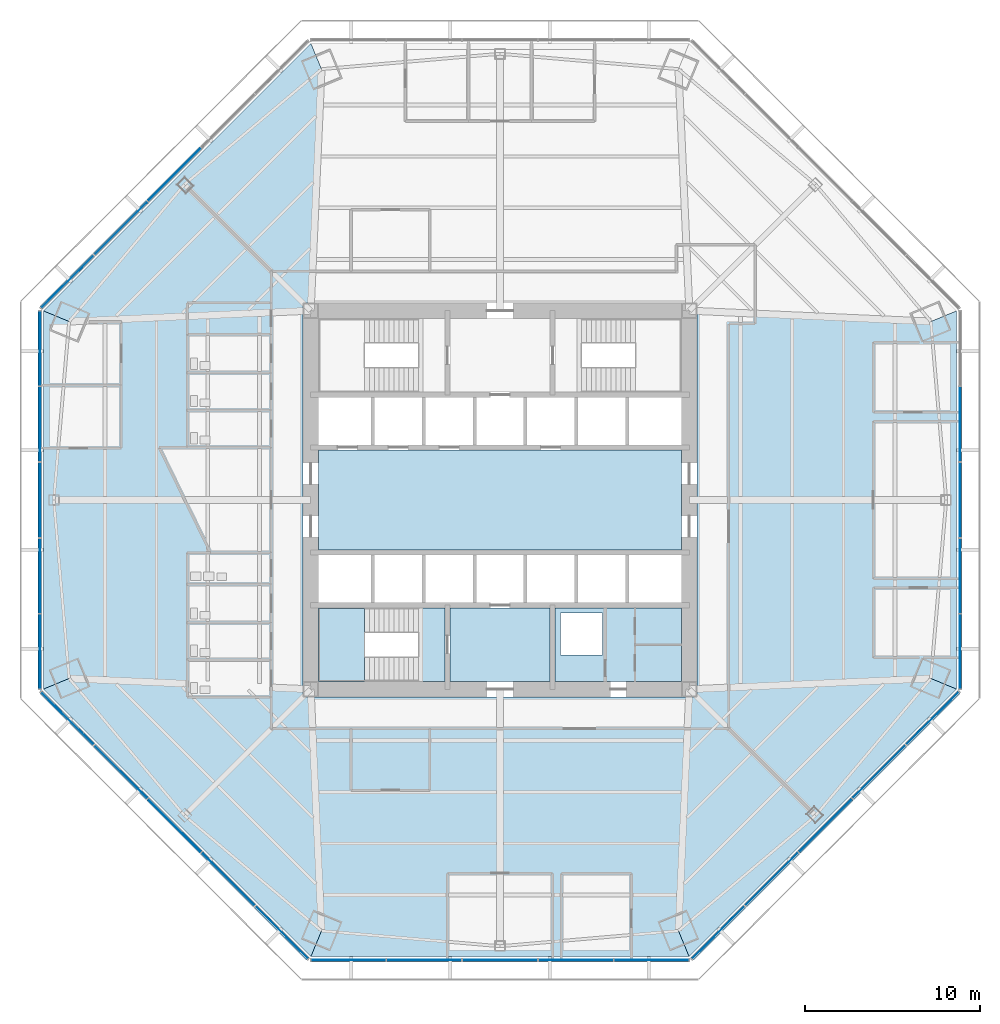
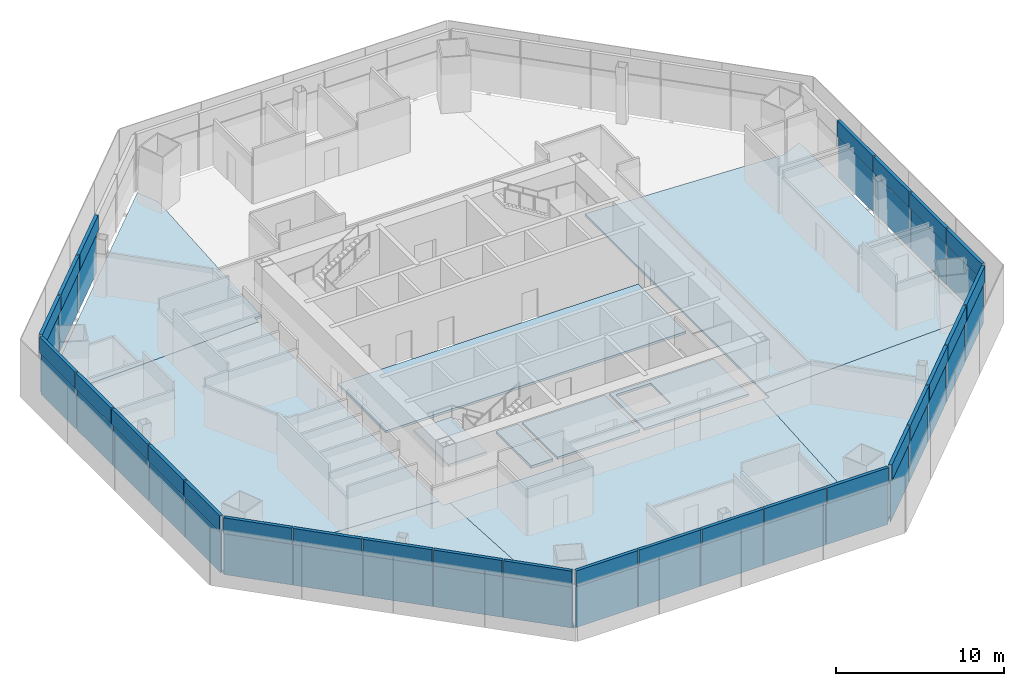
# One storey, part 7 of 15: 54 plates, 11 slabs, 7 elements without a shape of their own.
"""IFC4 building model written with IfcOpenShell, lengths in metres."""

import ifcopenshell
import ifcopenshell.guid

model = None  # the IFC model being written
_history = None  # IfcOwnerHistory: only IFC2X3 demands one
_inside = {}  # id of a spatial element -> (the spatial element, [elements in it])
_under = {}  # id of a project, library or spatial element -> (it, [spatial elements below it])
_declared = {}  # id of a project -> (the project, [libraries it declares])
_typed = {}  # id of a type object -> (the type object, [elements of that type])
_made_of = {}  # id of a material, layer set ... -> (it, [elements and type objects made of it])


def new_model(schema):
    """Start an empty IFC model of exactly this schema.

    Asked for "IFC4X3", IfcOpenShell would pick the latest addendum, in which some entities
    have other attributes; the version numbers below select the first issue.
    IFC2X3 requires an IfcOwnerHistory on every rooted entity: one is made here for all.
    """
    global model, _history
    if schema == "IFC4X3":
        model = ifcopenshell.file(schema_version=(4, 3, 0, 0))
    else:
        model = ifcopenshell.file(schema=schema)
    _inside.clear()
    _under.clear()
    _declared.clear()
    _typed.clear()
    _made_of.clear()
    _history = None
    if model.schema == "IFC2X3":
        org = make("IfcOrganization", Name="unknown")
        user = make(
            "IfcPersonAndOrganization",
            ThePerson=make("IfcPerson", FamilyName="unknown"),
            TheOrganization=org,
        )
        app = make(
            "IfcApplication",
            ApplicationDeveloper=org,
            Version="unknown",
            ApplicationFullName="unknown",
            ApplicationIdentifier="unknown",
        )
        _history = make(
            "IfcOwnerHistory",
            OwningUser=user,
            OwningApplication=app,
            ChangeAction="ADDED",
            CreationDate=0,
        )
    return model


def make(cls, **values):
    """One entity of the class cls with the attributes given. An attribute that is None is left unset."""
    return model.create_entity(
        cls, **{name: value for name, value in values.items() if value is not None}
    )


def rooted(cls, **values):
    """An entity with a GlobalId (a new one), such as an element, a storey or a relation."""
    return make(cls, GlobalId=ifcopenshell.guid.new(), OwnerHistory=_history, **values)


def si_unit(unit_type, name, prefix=None):
    """IfcSIUnit, for example si_unit("LENGTHUNIT", "METRE", prefix="MILLI")."""
    return make("IfcSIUnit", UnitType=unit_type, Prefix=prefix, Name=name)


def assignment(units):
    """IfcUnitAssignment: the units of a project."""
    return None if units is None else make("IfcUnitAssignment", Units=units)


def point(xyz):
    """IfcCartesianPoint."""
    return None if xyz is None else make("IfcCartesianPoint", Coordinates=xyz)


def direction(xyz):
    """IfcDirection."""
    return None if xyz is None else make("IfcDirection", DirectionRatios=xyz)


def frame(location, z_axis=None, x_axis=None):
    """IfcAxis2Placement3D, a coordinate frame: its origin and axes. An axis left out is left unset."""
    return make(
        "IfcAxis2Placement3D",
        Location=point(location),
        Axis=direction(z_axis),
        RefDirection=direction(x_axis),
    )


def frame_2d(location, x_axis=None):
    """IfcAxis2Placement2D, a coordinate frame in the plane: its origin and x axis."""
    return make(
        "IfcAxis2Placement2D", Location=point(location), RefDirection=direction(x_axis)
    )


def origin():
    """The frame at (0, 0, 0) with its axes left unset."""
    return frame((0.0, 0.0, 0.0))


def origin_2d():
    """The frame at (0, 0) in the plane with its x axis left unset."""
    return frame_2d((0.0, 0.0))


def place(relative_to, where):
    """IfcLocalPlacement: puts the frame where relative to a parent placement (None: the world)."""
    return make(
        "IfcLocalPlacement", PlacementRelTo=relative_to, RelativePlacement=where
    )


def context(
    kind, dimensions, precision=None, world=None, true_north=None, identifier=None
):
    """IfcGeometricRepresentationContext, for example the 3D "Model" context."""
    return make(
        "IfcGeometricRepresentationContext",
        ContextIdentifier=identifier,
        ContextType=kind,
        CoordinateSpaceDimension=dimensions,
        Precision=precision,
        WorldCoordinateSystem=world,
        TrueNorth=true_north,
    )


def subcontext(parent, identifier, kind, view, scale=None):
    """IfcGeometricRepresentationSubContext, for example "Body" below "Model"."""
    return make(
        "IfcGeometricRepresentationSubContext",
        ContextIdentifier=identifier,
        ContextType=kind,
        ParentContext=parent,
        TargetScale=scale,
        TargetView=view,
    )


def project(units=None, contexts=None):
    """IfcProject with its units and contexts."""
    return rooted(
        "IfcProject",
        Name="project",
        RepresentationContexts=contexts,
        UnitsInContext=assignment(units),
    )


def spatial(cls, under=None, at=None, **own):
    """A site, building, storey or space (cls), placed at a placement, below another one or the project."""
    s = rooted(cls, ObjectPlacement=at, **own)
    if under is not None:
        _under.setdefault(under.id(), (under, []))[1].append(s)
    return s


def polyline(points):
    """IfcPolyline through the points."""
    return make("IfcPolyline", Points=[point(p) for p in points])


def profile(cls, at=None, kind="AREA", **sizes):
    """A parametric profile (cls). Its sizes go by their IFC names, for example OverallWidth=200.0."""
    return make(cls, ProfileType=kind, Position=at, **sizes)


def rectangle(**sizes):
    """IfcRectangleProfileDef."""
    return profile("IfcRectangleProfileDef", **sizes)


def outline(outer, holes=None, kind="AREA"):
    """IfcArbitraryClosedProfileDef: a profile drawn as a closed curve; with holes, ...WithVoids."""
    if holes is None:
        return make("IfcArbitraryClosedProfileDef", ProfileType=kind, OuterCurve=outer)
    return make(
        "IfcArbitraryProfileDefWithVoids",
        ProfileType=kind,
        OuterCurve=outer,
        InnerCurves=holes,
    )


def extrude(swept, where, along, depth):
    """IfcExtrudedAreaSolid: the profile swept, set in the frame where, extruded along a direction by depth."""
    return make(
        "IfcExtrudedAreaSolid",
        SweptArea=swept,
        Position=where,
        ExtrudedDirection=direction(along),
        Depth=depth,
    )


def shape(context_of_items, identifier, shape_type, items):
    """IfcShapeRepresentation: the items that make up one representation, for example the "Body"."""
    return make(
        "IfcShapeRepresentation",
        ContextOfItems=context_of_items,
        RepresentationIdentifier=identifier,
        RepresentationType=shape_type,
        Items=items,
    )


def source(mapping_origin, context_of_items, identifier, shape_type, items):
    """IfcRepresentationMap: a shape defined once, which mapped items show again and again."""
    return make(
        "IfcRepresentationMap",
        MappingOrigin=mapping_origin,
        MappedRepresentation=shape(context_of_items, identifier, shape_type, items),
    )


def transform(
    local_origin,
    x_axis=None,
    y_axis=None,
    z_axis=None,
    scale=None,
    scale2=None,
    scale3=None,
    uniform=True,
):
    """IfcCartesianTransformationOperator3D, or its non-uniform kind. x_axis, y_axis, z_axis: its Axis1, 2, 3."""
    if uniform:
        return make(
            "IfcCartesianTransformationOperator3D",
            Axis1=direction(x_axis),
            Axis2=direction(y_axis),
            LocalOrigin=point(local_origin),
            Scale=scale,
            Axis3=direction(z_axis),
        )
    return make(
        "IfcCartesianTransformationOperator3DnonUniform",
        Axis1=direction(x_axis),
        Axis2=direction(y_axis),
        LocalOrigin=point(local_origin),
        Scale=scale,
        Axis3=direction(z_axis),
        Scale2=scale2,
        Scale3=scale3,
    )


def mapped(mapping_source, mapping_target):
    """IfcMappedItem: shows the shape of a source again, moved by a transform."""
    return make(
        "IfcMappedItem", MappingSource=mapping_source, MappingTarget=mapping_target
    )


def material(Name=None, Category=None):
    """IfcMaterial."""
    return make("IfcMaterial", Name=Name, Category=Category)


def layer(
    of_material, thickness, ventilated=None, Name=None, Category=None, Priority=None
):
    """IfcMaterialLayer: one layer of a wall or slab, of a material (None: an air gap)."""
    return make(
        "IfcMaterialLayer",
        Material=of_material,
        LayerThickness=thickness,
        IsVentilated=ventilated,
        Name=Name,
        Category=Category,
        Priority=Priority,
    )


def layer_set(layers, Name=None):
    """IfcMaterialLayerSet."""
    return make("IfcMaterialLayerSet", MaterialLayers=layers, LayerSetName=Name)


def made_of(thing, what):
    """Note that an element or type object is made of a material, layer set ...; save() writes the relation."""
    if what is not None:
        _made_of.setdefault(what.id(), (what, []))[1].append(thing)
    return thing


def type_object(cls, material=None, **own):
    """A type object (cls), such as IfcWallType, which elements share."""
    return made_of(rooted(cls, **own), material)


def type_shapes(of_type, sources):
    """Give a type object the sources (RepresentationMaps) that its elements show as mapped items."""
    of_type.RepresentationMaps = sources


def element(
    cls,
    number,
    at=None,
    inside=None,
    cuts=None,
    type_object=None,
    material=None,
    context=None,
    identifier="Body",
    shape_type=None,
    held_by="IfcProductDefinitionShape",
    body=None,
    shapes=None,
    **own,
):
    """One element of the class cls, such as IfcWall. Its Tag is "e" and its number.

    at: its placement. inside: the storey or other place that contains it. cuts: it is an
    opening in that element (IfcRelVoidsElement). A single representation is given by context,
    identifier, shape_type and body (its items); several are given by shapes. held_by: the class
    of the entity that holds the representations. save() writes the other relations.
    """
    e = rooted(cls, Tag="e%d" % number, ObjectPlacement=at, **own)
    if body is not None:
        shapes = [shape(context, identifier, shape_type, body)]
    if shapes is not None:
        e.Representation = make(held_by, Representations=shapes)
    if inside is not None:
        _inside.setdefault(inside.id(), (inside, []))[1].append(e)
    if cuts is not None:
        rooted(
            "IfcRelVoidsElement", RelatingBuildingElement=cuts, RelatedOpeningElement=e
        )
    if type_object is not None:
        _typed.setdefault(type_object.id(), (type_object, []))[1].append(e)
    return made_of(e, material)


def aggregate(whole, parts):
    """IfcRelAggregates: a whole, such as a stair, and the parts it consists of."""
    return rooted("IfcRelAggregates", RelatingObject=whole, RelatedObjects=parts)


def save(model, path):
    """Write the relations noted so far, then the file.

    IfcRelAggregates (storeys below a building ...), IfcRelContainedInSpatialStructure (elements
    in a storey), IfcRelDefinesByType, IfcRelAssociatesMaterial and IfcRelDeclares: one each for
    every whole, place, type object, material and project.
    """
    for whole, parts in _under.values():
        aggregate(whole, parts)
    for where, things in _inside.values():
        rooted(
            "IfcRelContainedInSpatialStructure",
            RelatedElements=things,
            RelatingStructure=where,
        )
    for kind, things in _typed.values():
        rooted("IfcRelDefinesByType", RelatedObjects=things, RelatingType=kind)
    for what, things in _made_of.values():
        rooted("IfcRelAssociatesMaterial", RelatedObjects=things, RelatingMaterial=what)
    for by, libraries in _declared.values():
        rooted("IfcRelDeclares", RelatingContext=by, RelatedDefinitions=libraries)
    model.write(path)


model = new_model("IFC4")

# Units and contexts
model_context = context("Model", 3, precision=1e-05, world=origin(), true_north=direction((0.0, 1.0)))
body_context = subcontext(model_context, "Body", "Model", "MODEL_VIEW")
ifc_project = project(units=[si_unit("LENGTHUNIT", "METRE"), si_unit("AREAUNIT", "SQUARE_METRE"), si_unit("VOLUMEUNIT", "CUBIC_METRE"), si_unit("PLANEANGLEUNIT", "RADIAN"), si_unit("MASSUNIT", "GRAM", prefix="KILO")], contexts=[model_context])

# Site, building, storey
site_placement = place(None, origin())
site = spatial("IfcSite", under=ifc_project, at=site_placement, CompositionType="ELEMENT")
building_placement = place(site_placement, origin())
building = spatial("IfcBuilding", under=site, at=building_placement, Name="Mashrafa Tower", CompositionType="ELEMENT")
storey_placement = place(building_placement, frame((0.0, 0.0, 62.39990234375)))
storey = spatial("IfcBuildingStorey", under=building, at=storey_placement, Name="L13", CompositionType="ELEMENT", Elevation=62.39990234375)

# Slabs
ifc_material_1 = material(Name="Concrete C35/45", Category="concrete")
ifc_layer_1 = layer(ifc_material_1, 0.1650390625)
ifc_layer_set_1 = layer_set([ifc_layer_1], Name="Floor slab 165")
slab_type_1 = type_object("IfcSlabType", Name="Floor slab 165", PredefinedType="FLOOR", material=ifc_layer_set_1)
slab_1_placement = place(storey_placement, frame((0.0, 0.0, -0.164794921875)))
element("IfcSlab", 1, at=slab_1_placement, inside=storey, type_object=slab_type_1, Name="Floor slab L13 east bay", PredefinedType="FLOOR", context=body_context, shape_type="SweptSolid", body=[
    extrude(outline(polyline([(26.049560546875, -10.7900390625), (24.575927734375, -10.1796875), (11.25, -10.77978515625), (11.25, 10.77978515625), (24.575927734375, 10.1796875), (26.049560546875, 10.7900390625), (26.049560546875, -10.7900390625)])), origin(), (0.0, 0.0, 1.0), 0.164794921875),
])
slab_2_placement = place(storey_placement, frame((0.0, 0.0, -0.164794921875)))
element("IfcSlab", 2, at=slab_2_placement, inside=storey, type_object=slab_type_1, Name="Floor slab L13 north-west bay", PredefinedType="FLOOR", context=body_context, shape_type="SweptSolid", body=[
    extrude(outline(polyline([(-26.049560546875, 10.7900390625), (-10.7900390625, 26.049560546875), (-10.7900390625, 26.049560546875), (-10.1796875, 24.575927734375), (-10.77978515625, 11.25), (-11.25, 11.25), (-11.25, 10.77978515625), (-24.575927734375, 10.1796875), (-26.049560546875, 10.7900390625), (-26.049560546875, 10.7900390625)])), origin(), (0.0, 0.0, 1.0), 0.164794921875),
])
slab_3_placement = place(storey_placement, frame((0.0, 0.0, -0.164794921875)))
element("IfcSlab", 3, at=slab_3_placement, inside=storey, type_object=slab_type_1, Name="Floor slab L13 west bay", PredefinedType="FLOOR", context=body_context, shape_type="SweptSolid", body=[
    extrude(outline(polyline([(-26.049560546875, 10.7900390625), (-24.575927734375, 10.1796875), (-11.25, 10.77978515625), (-11.25, -10.77978515625), (-24.575927734375, -10.1796875), (-26.049560546875, -10.7900390625), (-26.049560546875, 10.7900390625)])), origin(), (0.0, 0.0, 1.0), 0.164794921875),
])
slab_4_placement = place(storey_placement, frame((0.0, 0.0, -0.164794921875)))
element("IfcSlab", 4, at=slab_4_placement, inside=storey, type_object=slab_type_1, Name="Floor slab L13 south-west bay", PredefinedType="FLOOR", context=body_context, shape_type="SweptSolid", body=[
    extrude(outline(polyline([(-10.7900390625, -26.049560546875), (-26.049560546875, -10.7900390625), (-26.049560546875, -10.7900390625), (-24.575927734375, -10.1796875), (-11.25, -10.77978515625), (-11.25, -11.25), (-10.77978515625, -11.25), (-10.1796875, -24.575927734375), (-10.7900390625, -26.049560546875), (-10.7900390625, -26.049560546875)])), origin(), (0.0, 0.0, 1.0), 0.164794921875),
])
slab_5_placement = place(storey_placement, frame((0.0, 0.0, -0.164794921875)))
element("IfcSlab", 5, at=slab_5_placement, inside=storey, type_object=slab_type_1, Name="Floor slab L13 south bay", PredefinedType="FLOOR", context=body_context, shape_type="SweptSolid", body=[
    extrude(outline(polyline([(-10.7900390625, -26.049560546875), (-10.1796875, -24.575927734375), (-10.77978515625, -11.25), (10.77978515625, -11.25), (10.1796875, -24.575927734375), (10.7900390625, -26.049560546875), (-10.7900390625, -26.049560546875)])), origin(), (0.0, 0.0, 1.0), 0.164794921875),
])
slab_6_placement = place(storey_placement, frame((0.0, 0.0, -0.164794921875)))
element("IfcSlab", 6, at=slab_6_placement, inside=storey, type_object=slab_type_1, Name="Floor slab L13 south-east bay", PredefinedType="FLOOR", context=body_context, shape_type="SweptSolid", body=[
    extrude(outline(polyline([(10.7900390625, -26.049560546875), (10.1796875, -24.575927734375), (10.77978515625, -11.25), (11.25, -11.25), (11.25, -10.77978515625), (24.575927734375, -10.1796875), (26.049560546875, -10.7900390625), (26.049560546875, -10.7900390625), (10.7900390625, -26.049560546875), (10.7900390625, -26.049560546875)])), origin(), (0.0, 0.0, 1.0), 0.164794921875),
])
slab_7_placement = place(storey_placement, frame((0.0, 0.0, -0.164794921875)))
element("IfcSlab", 7, at=slab_7_placement, inside=storey, type_object=slab_type_1, Name="Core floor lift hall L13", PredefinedType="FLOOR", context=body_context, shape_type="SweptSolid", body=[
    extrude(outline(polyline([(-10.35009765625, 2.85009765625), (10.35009765625, 2.85009765625), (10.35009765625, -2.85009765625), (-10.35009765625, -2.85009765625), (-10.35009765625, 2.85009765625)])), origin(), (0.0, 0.0, 1.0), 0.164794921875),
])
slab_8_placement = place(storey_placement, frame((0.0, 0.0, -0.164794921875)))
element("IfcSlab", 8, at=slab_8_placement, inside=storey, type_object=slab_type_1, Name="Core floor riser and electrical band L13", PredefinedType="FLOOR", context=body_context, shape_type="SweptSolid", body=[
    extrude(outline(polyline([(10.35009765625, -6.14990234375), (10.35009765625, -10.35009765625), (3.14990234375, -10.35009765625), (3.14990234375, -6.14990234375), (10.35009765625, -6.14990234375)]), holes=[polyline([(3.449951171875, -8.85009765625), (5.85009765625, -8.85009765625), (5.85009765625, -6.449951171875), (3.449951171875, -6.449951171875), (3.449951171875, -8.85009765625)])]), origin(), (0.0, 0.0, 1.0), 0.164794921875),
])
slab_9_placement = place(storey_placement, frame((0.0, 0.0, -0.164794921875)))
element("IfcSlab", 9, at=slab_9_placement, inside=storey, type_object=slab_type_1, Name="Core floor fire-fighting lobby south L13", PredefinedType="FLOOR", context=body_context, shape_type="SweptSolid", body=[
    extrude(outline(polyline([(2.85009765625, -6.14990234375), (2.85009765625, -10.35009765625), (-2.85009765625, -10.35009765625), (-2.85009765625, -6.14990234375), (2.85009765625, -6.14990234375)])), origin(), (0.0, 0.0, 1.0), 0.164794921875),
])

# Stair, slabs
ifc_material_2 = material(Name="Exit stair 1400")
stair_type = type_object("IfcStairType", Name="Exit stair 1400", PredefinedType="HALF_TURN_STAIR", material=ifc_material_2)
stair_placement = place(storey_placement, origin())
stair = element("IfcStair", 10, at=stair_placement, inside=storey, type_object=stair_type, Name="Stair S3 L13", PredefinedType="HALF_TURN_STAIR")
ifc_material_3 = material(Name="Concrete C32/40", Category="concrete")
ifc_layer_2 = layer(ifc_material_3, 0.199951171875)
ifc_layer_set_2 = layer_set([ifc_layer_2], Name="Stair landing 200")
slab_type_2 = type_object("IfcSlabType", Name="Stair landing 200", PredefinedType="LANDING", material=ifc_layer_set_2)
slab_10_placement = place(storey_placement, frame((0.0, 0.0, -0.199951171875)))
slab_10 = element("IfcSlab", 11, at=slab_10_placement, type_object=slab_type_2, Name="S3 landing 1", PredefinedType="LANDING", context=body_context, shape_type="SweptSolid", body=[
    extrude(outline(polyline([(-4.659912109375, -10.35009765625), (-3.14990234375, -10.35009765625), (-3.14990234375, -6.14990234375), (-4.659912109375, -6.14990234375), (-4.659912109375, -10.35009765625)])), origin(), (0.0, 0.0, 1.0), 0.199951171875),
])
slab_11_placement = place(storey_placement, frame((0.0, 0.0, 1.900146484375)))
slab_11 = element("IfcSlab", 12, at=slab_11_placement, type_object=slab_type_2, Name="S3 landing 2", PredefinedType="LANDING", context=body_context, shape_type="SweptSolid", body=[
    extrude(outline(polyline([(-10.35009765625, -10.35009765625), (-7.719970703125, -10.35009765625), (-7.719970703125, -6.14990234375), (-10.35009765625, -6.14990234375), (-10.35009765625, -10.35009765625)])), origin(), (0.0, 0.0, 1.0), 0.199951171875),
])
aggregate(stair, [slab_10, slab_11])

# Curtain wall, plate
ifc_material_4 = material(Name="Unitised aluminium curtain wall", Category="aluminium")
curtain_wall_type = type_object("IfcCurtainWallType", Name="Office curtain wall, zone 1 CW-A 200 deep", PredefinedType="NOTDEFINED", material=ifc_material_4)
curtain_wall_1_placement = place(storey_placement, origin())
curtain_wall_1 = element("IfcCurtainWall", 13, at=curtain_wall_1_placement, inside=storey, type_object=curtain_wall_type, Name="Office curtain wall, zone 1 L13 east", PredefinedType="NOTDEFINED")
ifc_material_5 = material(Name="Insulated double glazing, low-e, neutral", Category="glass")
ifc_layer_3 = layer(ifc_material_5, 0.028076171875)
ifc_layer_set_3 = layer_set([ifc_layer_3], Name="Vision panel CW-A 28")
plate_type_1 = type_object("IfcPlateType", Name="Vision panel CW-A 28", PredefinedType="CURTAIN_PANEL", material=ifc_layer_set_3)
shared_shape_1 = source(origin(), body_context, "Body", "SweptSolid", [
    extrude(rectangle(XDim=4.231201171875, YDim=0.028076171875, at=origin_2d()), origin(), (0.0, 0.0, 1.0), 2.9599609375),
])
plate_1_placement = place(storey_placement, frame((26.24951171875, -8.640869140625, 0.0), z_axis=(0.0, 0.0, 1.0), x_axis=(0.0, 1.0, 0.0)))
plate_1 = element("IfcPlate", 14, at=plate_1_placement, type_object=plate_type_1, Name="CW-A vision panel 1", PredefinedType="CURTAIN_PANEL", context=body_context, shape_type="MappedRepresentation", body=[
    mapped(shared_shape_1, transform((0.0, 0.0, 0.0))),
])

curtain_wall_2_placement = place(storey_placement, origin())
curtain_wall_2 = element("IfcCurtainWall", 15, at=curtain_wall_2_placement, inside=storey, type_object=curtain_wall_type, Name="Office curtain wall, zone 1 L13 north-west", PredefinedType="NOTDEFINED")
plate_2_placement = place(storey_placement, frame((-24.67138671875, 12.451171875, 0.0), z_axis=(0.0, 0.0, 1.0), x_axis=(-0.707106781187, -0.707106781187, 0.0)))
plate_2 = element("IfcPlate", 16, at=plate_2_placement, type_object=plate_type_1, Name="CW-A vision panel 5", PredefinedType="CURTAIN_PANEL", context=body_context, shape_type="MappedRepresentation", body=[
    mapped(shared_shape_1, transform((0.0, 0.0, 0.0))),
])

# Curtain wall, plates
curtain_wall_3_placement = place(storey_placement, origin())
curtain_wall_3 = element("IfcCurtainWall", 17, at=curtain_wall_3_placement, inside=storey, type_object=curtain_wall_type, Name="Office curtain wall, zone 1 L13 west", PredefinedType="NOTDEFINED")
plate_3_placement = place(storey_placement, frame((-26.24951171875, 8.640869140625, 0.0), z_axis=(0.0, 0.0, 1.0), x_axis=(0.0, -1.0, 0.0)))
plate_3 = element("IfcPlate", 18, at=plate_3_placement, type_object=plate_type_1, Name="CW-A vision panel 1", PredefinedType="CURTAIN_PANEL", context=body_context, shape_type="MappedRepresentation", body=[
    mapped(shared_shape_1, transform((0.0, 0.0, 0.0))),
])
plate_4_placement = place(storey_placement, frame((-26.24951171875, -8.640869140625, 0.0), z_axis=(0.0, 0.0, 1.0), x_axis=(0.0, -1.0, 0.0)))
plate_4 = element("IfcPlate", 19, at=plate_4_placement, type_object=plate_type_1, Name="CW-A vision panel 5", PredefinedType="CURTAIN_PANEL", context=body_context, shape_type="MappedRepresentation", body=[
    mapped(shared_shape_1, transform((0.0, 0.0, 0.0))),
])

curtain_wall_4_placement = place(storey_placement, origin())
curtain_wall_4 = element("IfcCurtainWall", 20, at=curtain_wall_4_placement, inside=storey, type_object=curtain_wall_type, Name="Office curtain wall, zone 1 L13 south-west", PredefinedType="NOTDEFINED")
plate_5_placement = place(storey_placement, frame((-24.67138671875, -12.451171875, 0.0), z_axis=(0.0, 0.0, 1.0), x_axis=(0.707106781187, -0.707106781187, 0.0)))
plate_5 = element("IfcPlate", 21, at=plate_5_placement, type_object=plate_type_1, Name="CW-A vision panel 1", PredefinedType="CURTAIN_PANEL", context=body_context, shape_type="MappedRepresentation", body=[
    mapped(shared_shape_1, transform((0.0, 0.0, 0.0))),
])
plate_6_placement = place(storey_placement, frame((-12.451171875, -24.67138671875, 0.0), z_axis=(0.0, 0.0, 1.0), x_axis=(0.707106781187, -0.707106781187, 0.0)))
plate_6 = element("IfcPlate", 22, at=plate_6_placement, type_object=plate_type_1, Name="CW-A vision panel 5", PredefinedType="CURTAIN_PANEL", context=body_context, shape_type="MappedRepresentation", body=[
    mapped(shared_shape_1, transform((0.0, 0.0, 0.0))),
])

curtain_wall_5_placement = place(storey_placement, origin())
curtain_wall_5 = element("IfcCurtainWall", 23, at=curtain_wall_5_placement, inside=storey, type_object=curtain_wall_type, Name="Office curtain wall, zone 1 L13 south", PredefinedType="NOTDEFINED")
plate_7_placement = place(storey_placement, frame((-8.640869140625, -26.24951171875, 0.0), z_axis=(0.0, 0.0, 1.0), x_axis=(1.0, 0.0, 0.0)))
plate_7 = element("IfcPlate", 24, at=plate_7_placement, type_object=plate_type_1, Name="CW-A vision panel 1", PredefinedType="CURTAIN_PANEL", context=body_context, shape_type="MappedRepresentation", body=[
    mapped(shared_shape_1, transform((0.0, 0.0, 0.0))),
])
plate_8_placement = place(storey_placement, frame((8.640869140625, -26.24951171875, 0.0), z_axis=(0.0, 0.0, 1.0), x_axis=(1.0, 0.0, 0.0)))
plate_8 = element("IfcPlate", 25, at=plate_8_placement, type_object=plate_type_1, Name="CW-A vision panel 5", PredefinedType="CURTAIN_PANEL", context=body_context, shape_type="MappedRepresentation", body=[
    mapped(shared_shape_1, transform((0.0, 0.0, 0.0))),
])

curtain_wall_6_placement = place(storey_placement, origin())
curtain_wall_6 = element("IfcCurtainWall", 26, at=curtain_wall_6_placement, inside=storey, type_object=curtain_wall_type, Name="Office curtain wall, zone 1 L13 south-east", PredefinedType="NOTDEFINED")
plate_9_placement = place(storey_placement, frame((12.451171875, -24.67138671875, 0.0), z_axis=(0.0, 0.0, 1.0), x_axis=(0.707106781187, 0.707106781187, 0.0)))
plate_9 = element("IfcPlate", 27, at=plate_9_placement, type_object=plate_type_1, Name="CW-A vision panel 1", PredefinedType="CURTAIN_PANEL", context=body_context, shape_type="MappedRepresentation", body=[
    mapped(shared_shape_1, transform((0.0, 0.0, 0.0))),
])
plate_10_placement = place(storey_placement, frame((24.67138671875, -12.451171875, 0.0), z_axis=(0.0, 0.0, 1.0), x_axis=(0.707106781187, 0.707106781187, 0.0)))
plate_10 = element("IfcPlate", 28, at=plate_10_placement, type_object=plate_type_1, Name="CW-A vision panel 5", PredefinedType="CURTAIN_PANEL", context=body_context, shape_type="MappedRepresentation", body=[
    mapped(shared_shape_1, transform((0.0, 0.0, 0.0))),
])

# Plate
ifc_material_6 = material(Name="Insulated aluminium spandrel panel", Category="aluminium")
ifc_layer_4 = layer(ifc_material_6, 0.219970703125)
ifc_layer_set_4 = layer_set([ifc_layer_4], Name="Spandrel panel CW-A 220")
plate_type_2 = type_object("IfcPlateType", Name="Spandrel panel CW-A 220", PredefinedType="CURTAIN_PANEL", material=ifc_layer_set_4)
shared_shape_2 = source(origin(), body_context, "Body", "SweptSolid", [
    extrude(rectangle(XDim=4.231201171875, YDim=0.219970703125, at=origin_2d()), origin(), (0.0, 0.0, 1.0), 1.159912109375),
])
plate_11_placement = place(storey_placement, frame((26.24951171875, -8.640869140625, 3.0400390625), z_axis=(0.0, 0.0, 1.0), x_axis=(0.0, 1.0, 0.0)))
plate_11 = element("IfcPlate", 29, at=plate_11_placement, type_object=plate_type_2, Name="CW-A spandrel panel 1", PredefinedType="CURTAIN_PANEL", context=body_context, shape_type="MappedRepresentation", body=[
    mapped(shared_shape_2, transform((0.0, 0.0, 0.0))),
])

plate_12_placement = place(storey_placement, frame((-24.67138671875, 12.451171875, 3.0400390625), z_axis=(0.0, 0.0, 1.0), x_axis=(-0.707106781187, -0.707106781187, 0.0)))
plate_12 = element("IfcPlate", 30, at=plate_12_placement, type_object=plate_type_2, Name="CW-A spandrel panel 5", PredefinedType="CURTAIN_PANEL", context=body_context, shape_type="MappedRepresentation", body=[
    mapped(shared_shape_2, transform((0.0, 0.0, 0.0))),
])

plate_13_placement = place(storey_placement, frame((-26.24951171875, 8.640869140625, 3.0400390625), z_axis=(0.0, 0.0, 1.0), x_axis=(0.0, -1.0, 0.0)))
plate_13 = element("IfcPlate", 31, at=plate_13_placement, type_object=plate_type_2, Name="CW-A spandrel panel 1", PredefinedType="CURTAIN_PANEL", context=body_context, shape_type="MappedRepresentation", body=[
    mapped(shared_shape_2, transform((0.0, 0.0, 0.0))),
])

plate_14_placement = place(storey_placement, frame((-26.24951171875, -8.640869140625, 3.0400390625), z_axis=(0.0, 0.0, 1.0), x_axis=(0.0, -1.0, 0.0)))
plate_14 = element("IfcPlate", 32, at=plate_14_placement, type_object=plate_type_2, Name="CW-A spandrel panel 5", PredefinedType="CURTAIN_PANEL", context=body_context, shape_type="MappedRepresentation", body=[
    mapped(shared_shape_2, transform((0.0, 0.0, 0.0))),
])

plate_15_placement = place(storey_placement, frame((-24.67138671875, -12.451171875, 3.0400390625), z_axis=(0.0, 0.0, 1.0), x_axis=(0.707106781187, -0.707106781187, 0.0)))
plate_15 = element("IfcPlate", 33, at=plate_15_placement, type_object=plate_type_2, Name="CW-A spandrel panel 1", PredefinedType="CURTAIN_PANEL", context=body_context, shape_type="MappedRepresentation", body=[
    mapped(shared_shape_2, transform((0.0, 0.0, 0.0))),
])

plate_16_placement = place(storey_placement, frame((-12.451171875, -24.67138671875, 3.0400390625), z_axis=(0.0, 0.0, 1.0), x_axis=(0.707106781187, -0.707106781187, 0.0)))
plate_16 = element("IfcPlate", 34, at=plate_16_placement, type_object=plate_type_2, Name="CW-A spandrel panel 5", PredefinedType="CURTAIN_PANEL", context=body_context, shape_type="MappedRepresentation", body=[
    mapped(shared_shape_2, transform((0.0, 0.0, 0.0))),
])

plate_17_placement = place(storey_placement, frame((-8.640869140625, -26.24951171875, 3.0400390625), z_axis=(0.0, 0.0, 1.0), x_axis=(1.0, 0.0, 0.0)))
plate_17 = element("IfcPlate", 35, at=plate_17_placement, type_object=plate_type_2, Name="CW-A spandrel panel 1", PredefinedType="CURTAIN_PANEL", context=body_context, shape_type="MappedRepresentation", body=[
    mapped(shared_shape_2, transform((0.0, 0.0, 0.0))),
])

plate_18_placement = place(storey_placement, frame((8.640869140625, -26.24951171875, 3.0400390625), z_axis=(0.0, 0.0, 1.0), x_axis=(1.0, 0.0, 0.0)))
plate_18 = element("IfcPlate", 36, at=plate_18_placement, type_object=plate_type_2, Name="CW-A spandrel panel 5", PredefinedType="CURTAIN_PANEL", context=body_context, shape_type="MappedRepresentation", body=[
    mapped(shared_shape_2, transform((0.0, 0.0, 0.0))),
])

plate_19_placement = place(storey_placement, frame((12.451171875, -24.67138671875, 3.0400390625), z_axis=(0.0, 0.0, 1.0), x_axis=(0.707106781187, 0.707106781187, 0.0)))
plate_19 = element("IfcPlate", 37, at=plate_19_placement, type_object=plate_type_2, Name="CW-A spandrel panel 1", PredefinedType="CURTAIN_PANEL", context=body_context, shape_type="MappedRepresentation", body=[
    mapped(shared_shape_2, transform((0.0, 0.0, 0.0))),
])

plate_20_placement = place(storey_placement, frame((24.67138671875, -12.451171875, 3.0400390625), z_axis=(0.0, 0.0, 1.0), x_axis=(0.707106781187, 0.707106781187, 0.0)))
plate_20 = element("IfcPlate", 38, at=plate_20_placement, type_object=plate_type_2, Name="CW-A spandrel panel 5", PredefinedType="CURTAIN_PANEL", context=body_context, shape_type="MappedRepresentation", body=[
    mapped(shared_shape_2, transform((0.0, 0.0, 0.0))),
])

shared_shape_3 = source(origin(), body_context, "Body", "SweptSolid", [
    extrude(rectangle(XDim=4.263671875, YDim=0.028076171875, at=origin_2d()), origin(), (0.0, 0.0, 1.0), 2.9599609375),
])
type_shapes(plate_type_1, [shared_shape_1, shared_shape_3])
plate_21_placement = place(storey_placement, frame((26.24951171875, -4.32861328125, 0.0), z_axis=(0.0, 0.0, 1.0), x_axis=(0.0, 1.0, 0.0)))
plate_21 = element("IfcPlate", 39, at=plate_21_placement, type_object=plate_type_1, Name="CW-A vision panel 2", PredefinedType="CURTAIN_PANEL", context=body_context, shape_type="MappedRepresentation", body=[
    mapped(shared_shape_3, transform((0.0, 0.0, 0.0))),
])

plate_22_placement = place(storey_placement, frame((26.24951171875, 0.0, 0.0), z_axis=(0.0, 0.0, 1.0), x_axis=(0.0, 1.0, 0.0)))
plate_22 = element("IfcPlate", 40, at=plate_22_placement, type_object=plate_type_1, Name="CW-A vision panel 3", PredefinedType="CURTAIN_PANEL", context=body_context, shape_type="MappedRepresentation", body=[
    mapped(shared_shape_3, transform((0.0, 0.0, 0.0))),
])

plate_23_placement = place(storey_placement, frame((26.24951171875, 4.32861328125, 0.0), z_axis=(0.0, 0.0, 1.0), x_axis=(0.0, 1.0, 0.0)))
plate_23 = element("IfcPlate", 41, at=plate_23_placement, type_object=plate_type_1, Name="CW-A vision panel 4", PredefinedType="CURTAIN_PANEL", context=body_context, shape_type="MappedRepresentation", body=[
    mapped(shared_shape_3, transform((0.0, 0.0, 0.0))),
])

plate_24_placement = place(storey_placement, frame((-18.561279296875, 18.561279296875, 0.0), z_axis=(0.0, 0.0, 1.0), x_axis=(-0.707106781187, -0.707106781187, 0.0)))
plate_24 = element("IfcPlate", 42, at=plate_24_placement, type_object=plate_type_1, Name="CW-A vision panel 3", PredefinedType="CURTAIN_PANEL", context=body_context, shape_type="MappedRepresentation", body=[
    mapped(shared_shape_3, transform((0.0, 0.0, 0.0))),
])

plate_25_placement = place(storey_placement, frame((-21.6220703125, 15.50048828125, 0.0), z_axis=(0.0, 0.0, 1.0), x_axis=(-0.707106781187, -0.707106781187, 0.0)))
plate_25 = element("IfcPlate", 43, at=plate_25_placement, type_object=plate_type_1, Name="CW-A vision panel 4", PredefinedType="CURTAIN_PANEL", context=body_context, shape_type="MappedRepresentation", body=[
    mapped(shared_shape_3, transform((0.0, 0.0, 0.0))),
])

plate_26_placement = place(storey_placement, frame((-26.24951171875, 4.32861328125, 0.0), z_axis=(0.0, 0.0, 1.0), x_axis=(0.0, -1.0, 0.0)))
plate_26 = element("IfcPlate", 44, at=plate_26_placement, type_object=plate_type_1, Name="CW-A vision panel 2", PredefinedType="CURTAIN_PANEL", context=body_context, shape_type="MappedRepresentation", body=[
    mapped(shared_shape_3, transform((0.0, 0.0, 0.0))),
])

plate_27_placement = place(storey_placement, frame((-26.24951171875, 0.0, 0.0), z_axis=(0.0, 0.0, 1.0), x_axis=(0.0, -1.0, 0.0)))
plate_27 = element("IfcPlate", 45, at=plate_27_placement, type_object=plate_type_1, Name="CW-A vision panel 3", PredefinedType="CURTAIN_PANEL", context=body_context, shape_type="MappedRepresentation", body=[
    mapped(shared_shape_3, transform((0.0, 0.0, 0.0))),
])

plate_28_placement = place(storey_placement, frame((-26.24951171875, -4.32861328125, 0.0), z_axis=(0.0, 0.0, 1.0), x_axis=(0.0, -1.0, 0.0)))
plate_28 = element("IfcPlate", 46, at=plate_28_placement, type_object=plate_type_1, Name="CW-A vision panel 4", PredefinedType="CURTAIN_PANEL", context=body_context, shape_type="MappedRepresentation", body=[
    mapped(shared_shape_3, transform((0.0, 0.0, 0.0))),
])

plate_29_placement = place(storey_placement, frame((-21.6220703125, -15.50048828125, 0.0), z_axis=(0.0, 0.0, 1.0), x_axis=(0.707106781187, -0.707106781187, 0.0)))
plate_29 = element("IfcPlate", 47, at=plate_29_placement, type_object=plate_type_1, Name="CW-A vision panel 2", PredefinedType="CURTAIN_PANEL", context=body_context, shape_type="MappedRepresentation", body=[
    mapped(shared_shape_3, transform((0.0, 0.0, 0.0))),
])

plate_30_placement = place(storey_placement, frame((-18.561279296875, -18.561279296875, 0.0), z_axis=(0.0, 0.0, 1.0), x_axis=(0.707106781187, -0.707106781187, 0.0)))
plate_30 = element("IfcPlate", 48, at=plate_30_placement, type_object=plate_type_1, Name="CW-A vision panel 3", PredefinedType="CURTAIN_PANEL", context=body_context, shape_type="MappedRepresentation", body=[
    mapped(shared_shape_3, transform((0.0, 0.0, 0.0))),
])

plate_31_placement = place(storey_placement, frame((-15.50048828125, -21.6220703125, 0.0), z_axis=(0.0, 0.0, 1.0), x_axis=(0.707106781187, -0.707106781187, 0.0)))
plate_31 = element("IfcPlate", 49, at=plate_31_placement, type_object=plate_type_1, Name="CW-A vision panel 4", PredefinedType="CURTAIN_PANEL", context=body_context, shape_type="MappedRepresentation", body=[
    mapped(shared_shape_3, transform((0.0, 0.0, 0.0))),
])

plate_32_placement = place(storey_placement, frame((-4.32861328125, -26.24951171875, 0.0), z_axis=(0.0, 0.0, 1.0), x_axis=(1.0, 0.0, 0.0)))
plate_32 = element("IfcPlate", 50, at=plate_32_placement, type_object=plate_type_1, Name="CW-A vision panel 2", PredefinedType="CURTAIN_PANEL", context=body_context, shape_type="MappedRepresentation", body=[
    mapped(shared_shape_3, transform((0.0, 0.0, 0.0))),
])

plate_33_placement = place(storey_placement, frame((0.0, -26.24951171875, 0.0), z_axis=(0.0, 0.0, 1.0), x_axis=(1.0, 0.0, 0.0)))
plate_33 = element("IfcPlate", 51, at=plate_33_placement, type_object=plate_type_1, Name="CW-A vision panel 3", PredefinedType="CURTAIN_PANEL", context=body_context, shape_type="MappedRepresentation", body=[
    mapped(shared_shape_3, transform((0.0, 0.0, 0.0))),
])

plate_34_placement = place(storey_placement, frame((4.32861328125, -26.24951171875, 0.0), z_axis=(0.0, 0.0, 1.0), x_axis=(1.0, 0.0, 0.0)))
plate_34 = element("IfcPlate", 52, at=plate_34_placement, type_object=plate_type_1, Name="CW-A vision panel 4", PredefinedType="CURTAIN_PANEL", context=body_context, shape_type="MappedRepresentation", body=[
    mapped(shared_shape_3, transform((0.0, 0.0, 0.0))),
])

plate_35_placement = place(storey_placement, frame((15.50048828125, -21.6220703125, 0.0), z_axis=(0.0, 0.0, 1.0), x_axis=(0.707106781187, 0.707106781187, 0.0)))
plate_35 = element("IfcPlate", 53, at=plate_35_placement, type_object=plate_type_1, Name="CW-A vision panel 2", PredefinedType="CURTAIN_PANEL", context=body_context, shape_type="MappedRepresentation", body=[
    mapped(shared_shape_3, transform((0.0, 0.0, 0.0))),
])

plate_36_placement = place(storey_placement, frame((18.561279296875, -18.561279296875, 0.0), z_axis=(0.0, 0.0, 1.0), x_axis=(0.707106781187, 0.707106781187, 0.0)))
plate_36 = element("IfcPlate", 54, at=plate_36_placement, type_object=plate_type_1, Name="CW-A vision panel 3", PredefinedType="CURTAIN_PANEL", context=body_context, shape_type="MappedRepresentation", body=[
    mapped(shared_shape_3, transform((0.0, 0.0, 0.0))),
])

plate_37_placement = place(storey_placement, frame((21.6220703125, -15.50048828125, 0.0), z_axis=(0.0, 0.0, 1.0), x_axis=(0.707106781187, 0.707106781187, 0.0)))
plate_37 = element("IfcPlate", 55, at=plate_37_placement, type_object=plate_type_1, Name="CW-A vision panel 4", PredefinedType="CURTAIN_PANEL", context=body_context, shape_type="MappedRepresentation", body=[
    mapped(shared_shape_3, transform((0.0, 0.0, 0.0))),
])

shared_shape_4 = source(origin(), body_context, "Body", "SweptSolid", [
    extrude(rectangle(XDim=4.263671875, YDim=0.219970703125, at=origin_2d()), origin(), (0.0, 0.0, 1.0), 1.159912109375),
])
type_shapes(plate_type_2, [shared_shape_2, shared_shape_4])
plate_38_placement = place(storey_placement, frame((26.24951171875, -4.32861328125, 3.0400390625), z_axis=(0.0, 0.0, 1.0), x_axis=(0.0, 1.0, 0.0)))
plate_38 = element("IfcPlate", 56, at=plate_38_placement, type_object=plate_type_2, Name="CW-A spandrel panel 2", PredefinedType="CURTAIN_PANEL", context=body_context, shape_type="MappedRepresentation", body=[
    mapped(shared_shape_4, transform((0.0, 0.0, 0.0))),
])

plate_39_placement = place(storey_placement, frame((26.24951171875, 0.0, 3.0400390625), z_axis=(0.0, 0.0, 1.0), x_axis=(0.0, 1.0, 0.0)))
plate_39 = element("IfcPlate", 57, at=plate_39_placement, type_object=plate_type_2, Name="CW-A spandrel panel 3", PredefinedType="CURTAIN_PANEL", context=body_context, shape_type="MappedRepresentation", body=[
    mapped(shared_shape_4, transform((0.0, 0.0, 0.0))),
])

plate_40_placement = place(storey_placement, frame((26.24951171875, 4.32861328125, 3.0400390625), z_axis=(0.0, 0.0, 1.0), x_axis=(0.0, 1.0, 0.0)))
plate_40 = element("IfcPlate", 58, at=plate_40_placement, type_object=plate_type_2, Name="CW-A spandrel panel 4", PredefinedType="CURTAIN_PANEL", context=body_context, shape_type="MappedRepresentation", body=[
    mapped(shared_shape_4, transform((0.0, 0.0, 0.0))),
])

aggregate(curtain_wall_1, [plate_1, plate_11, plate_21, plate_38, plate_22, plate_39, plate_23, plate_40])

plate_41_placement = place(storey_placement, frame((-18.561279296875, 18.561279296875, 3.0400390625), z_axis=(0.0, 0.0, 1.0), x_axis=(-0.707106781187, -0.707106781187, 0.0)))
plate_41 = element("IfcPlate", 59, at=plate_41_placement, type_object=plate_type_2, Name="CW-A spandrel panel 3", PredefinedType="CURTAIN_PANEL", context=body_context, shape_type="MappedRepresentation", body=[
    mapped(shared_shape_4, transform((0.0, 0.0, 0.0))),
])

plate_42_placement = place(storey_placement, frame((-21.6220703125, 15.50048828125, 3.0400390625), z_axis=(0.0, 0.0, 1.0), x_axis=(-0.707106781187, -0.707106781187, 0.0)))
plate_42 = element("IfcPlate", 60, at=plate_42_placement, type_object=plate_type_2, Name="CW-A spandrel panel 4", PredefinedType="CURTAIN_PANEL", context=body_context, shape_type="MappedRepresentation", body=[
    mapped(shared_shape_4, transform((0.0, 0.0, 0.0))),
])

aggregate(curtain_wall_2, [plate_24, plate_41, plate_25, plate_42, plate_2, plate_12])

plate_43_placement = place(storey_placement, frame((-26.24951171875, 4.32861328125, 3.0400390625), z_axis=(0.0, 0.0, 1.0), x_axis=(0.0, -1.0, 0.0)))
plate_43 = element("IfcPlate", 61, at=plate_43_placement, type_object=plate_type_2, Name="CW-A spandrel panel 2", PredefinedType="CURTAIN_PANEL", context=body_context, shape_type="MappedRepresentation", body=[
    mapped(shared_shape_4, transform((0.0, 0.0, 0.0))),
])

plate_44_placement = place(storey_placement, frame((-26.24951171875, 0.0, 3.0400390625), z_axis=(0.0, 0.0, 1.0), x_axis=(0.0, -1.0, 0.0)))
plate_44 = element("IfcPlate", 62, at=plate_44_placement, type_object=plate_type_2, Name="CW-A spandrel panel 3", PredefinedType="CURTAIN_PANEL", context=body_context, shape_type="MappedRepresentation", body=[
    mapped(shared_shape_4, transform((0.0, 0.0, 0.0))),
])

plate_45_placement = place(storey_placement, frame((-26.24951171875, -4.32861328125, 3.0400390625), z_axis=(0.0, 0.0, 1.0), x_axis=(0.0, -1.0, 0.0)))
plate_45 = element("IfcPlate", 63, at=plate_45_placement, type_object=plate_type_2, Name="CW-A spandrel panel 4", PredefinedType="CURTAIN_PANEL", context=body_context, shape_type="MappedRepresentation", body=[
    mapped(shared_shape_4, transform((0.0, 0.0, 0.0))),
])

aggregate(curtain_wall_3, [plate_3, plate_13, plate_26, plate_43, plate_27, plate_44, plate_28, plate_45, plate_4, plate_14])

plate_46_placement = place(storey_placement, frame((-21.6220703125, -15.50048828125, 3.0400390625), z_axis=(0.0, 0.0, 1.0), x_axis=(0.707106781187, -0.707106781187, 0.0)))
plate_46 = element("IfcPlate", 64, at=plate_46_placement, type_object=plate_type_2, Name="CW-A spandrel panel 2", PredefinedType="CURTAIN_PANEL", context=body_context, shape_type="MappedRepresentation", body=[
    mapped(shared_shape_4, transform((0.0, 0.0, 0.0))),
])

plate_47_placement = place(storey_placement, frame((-18.561279296875, -18.561279296875, 3.0400390625), z_axis=(0.0, 0.0, 1.0), x_axis=(0.707106781187, -0.707106781187, 0.0)))
plate_47 = element("IfcPlate", 65, at=plate_47_placement, type_object=plate_type_2, Name="CW-A spandrel panel 3", PredefinedType="CURTAIN_PANEL", context=body_context, shape_type="MappedRepresentation", body=[
    mapped(shared_shape_4, transform((0.0, 0.0, 0.0))),
])

plate_48_placement = place(storey_placement, frame((-15.50048828125, -21.6220703125, 3.0400390625), z_axis=(0.0, 0.0, 1.0), x_axis=(0.707106781187, -0.707106781187, 0.0)))
plate_48 = element("IfcPlate", 66, at=plate_48_placement, type_object=plate_type_2, Name="CW-A spandrel panel 4", PredefinedType="CURTAIN_PANEL", context=body_context, shape_type="MappedRepresentation", body=[
    mapped(shared_shape_4, transform((0.0, 0.0, 0.0))),
])

aggregate(curtain_wall_4, [plate_5, plate_15, plate_29, plate_46, plate_30, plate_47, plate_31, plate_48, plate_6, plate_16])

plate_49_placement = place(storey_placement, frame((-4.32861328125, -26.24951171875, 3.0400390625), z_axis=(0.0, 0.0, 1.0), x_axis=(1.0, 0.0, 0.0)))
plate_49 = element("IfcPlate", 67, at=plate_49_placement, type_object=plate_type_2, Name="CW-A spandrel panel 2", PredefinedType="CURTAIN_PANEL", context=body_context, shape_type="MappedRepresentation", body=[
    mapped(shared_shape_4, transform((0.0, 0.0, 0.0))),
])

plate_50_placement = place(storey_placement, frame((0.0, -26.24951171875, 3.0400390625), z_axis=(0.0, 0.0, 1.0), x_axis=(1.0, 0.0, 0.0)))
plate_50 = element("IfcPlate", 68, at=plate_50_placement, type_object=plate_type_2, Name="CW-A spandrel panel 3", PredefinedType="CURTAIN_PANEL", context=body_context, shape_type="MappedRepresentation", body=[
    mapped(shared_shape_4, transform((0.0, 0.0, 0.0))),
])

plate_51_placement = place(storey_placement, frame((4.32861328125, -26.24951171875, 3.0400390625), z_axis=(0.0, 0.0, 1.0), x_axis=(1.0, 0.0, 0.0)))
plate_51 = element("IfcPlate", 69, at=plate_51_placement, type_object=plate_type_2, Name="CW-A spandrel panel 4", PredefinedType="CURTAIN_PANEL", context=body_context, shape_type="MappedRepresentation", body=[
    mapped(shared_shape_4, transform((0.0, 0.0, 0.0))),
])

aggregate(curtain_wall_5, [plate_7, plate_17, plate_32, plate_49, plate_33, plate_50, plate_34, plate_51, plate_8, plate_18])

plate_52_placement = place(storey_placement, frame((15.50048828125, -21.6220703125, 3.0400390625), z_axis=(0.0, 0.0, 1.0), x_axis=(0.707106781187, 0.707106781187, 0.0)))
plate_52 = element("IfcPlate", 70, at=plate_52_placement, type_object=plate_type_2, Name="CW-A spandrel panel 2", PredefinedType="CURTAIN_PANEL", context=body_context, shape_type="MappedRepresentation", body=[
    mapped(shared_shape_4, transform((0.0, 0.0, 0.0))),
])

plate_53_placement = place(storey_placement, frame((18.561279296875, -18.561279296875, 3.0400390625), z_axis=(0.0, 0.0, 1.0), x_axis=(0.707106781187, 0.707106781187, 0.0)))
plate_53 = element("IfcPlate", 71, at=plate_53_placement, type_object=plate_type_2, Name="CW-A spandrel panel 3", PredefinedType="CURTAIN_PANEL", context=body_context, shape_type="MappedRepresentation", body=[
    mapped(shared_shape_4, transform((0.0, 0.0, 0.0))),
])

plate_54_placement = place(storey_placement, frame((21.6220703125, -15.50048828125, 3.0400390625), z_axis=(0.0, 0.0, 1.0), x_axis=(0.707106781187, 0.707106781187, 0.0)))
plate_54 = element("IfcPlate", 72, at=plate_54_placement, type_object=plate_type_2, Name="CW-A spandrel panel 4", PredefinedType="CURTAIN_PANEL", context=body_context, shape_type="MappedRepresentation", body=[
    mapped(shared_shape_4, transform((0.0, 0.0, 0.0))),
])

aggregate(curtain_wall_6, [plate_9, plate_19, plate_35, plate_52, plate_36, plate_53, plate_37, plate_54, plate_10, plate_20])

save(model, "model.ifc")
